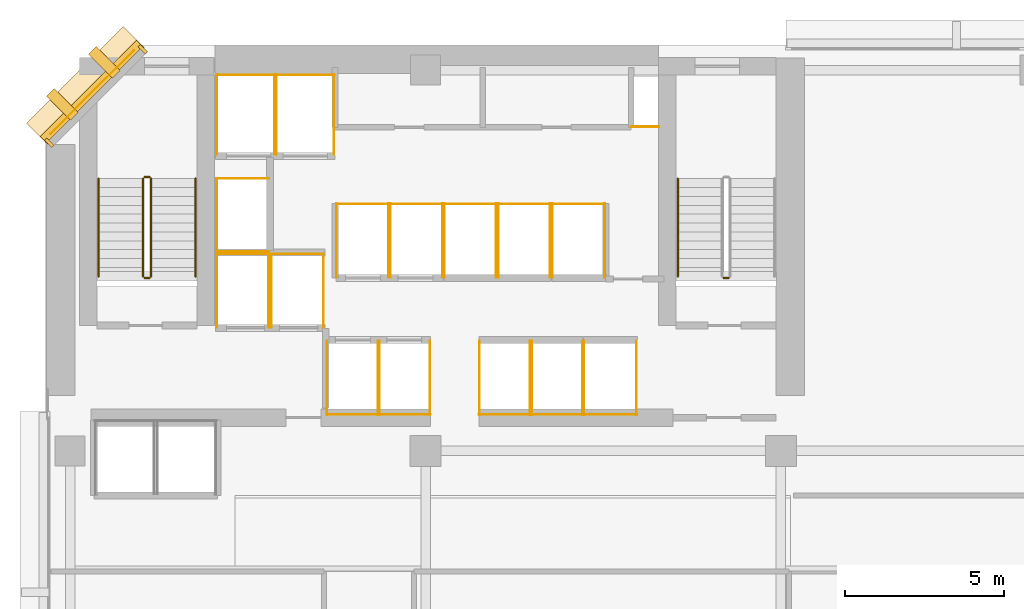
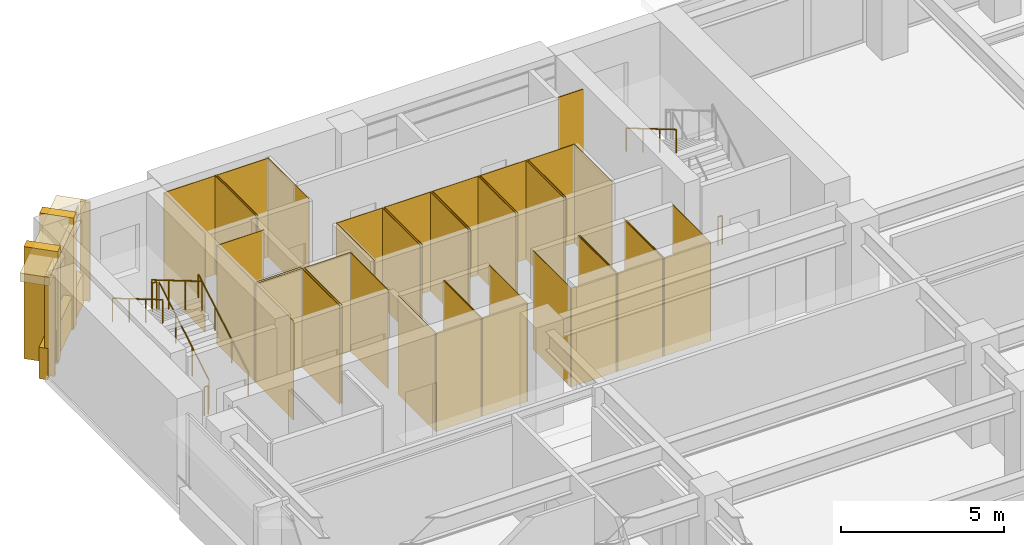
# One storey, part 11 of 13: 53 coverings, 8 railings.
"""IFC4 building model written with IfcOpenShell, lengths in metres."""

from ifc_helpers import new_model, si_unit, direction, frame, origin, origin_2d, place, context, subcontext, project, spatial, polyline, rectangle, circle, outline, extrude, material, layer, layer_set, type_object, element, save


model = new_model("IFC4")

# Units and contexts
model_context = context("Model", 3, precision=1e-05, world=origin(), true_north=direction((0.0, 1.0)))
body_context = subcontext(model_context, "Body", "Model", "MODEL_VIEW")
ifc_project = project(units=[si_unit("LENGTHUNIT", "METRE"), si_unit("AREAUNIT", "SQUARE_METRE"), si_unit("VOLUMEUNIT", "CUBIC_METRE"), si_unit("PLANEANGLEUNIT", "RADIAN"), si_unit("MASSUNIT", "GRAM", prefix="KILO")], contexts=[model_context])

# Site, building, storey
site_placement = place(None, origin())
site = spatial("IfcSite", under=ifc_project, at=site_placement, CompositionType="ELEMENT")
building_placement = place(site_placement, origin())
building = spatial("IfcBuilding", under=site, at=building_placement, Name="Kefirva Bronze Tower", CompositionType="ELEMENT")
storey_placement = place(building_placement, frame((0.0, 0.0, 106.590087890625)))
storey = spatial("IfcBuildingStorey", under=building, at=storey_placement, Name="L25", CompositionType="ELEMENT", Elevation=106.590087890625)

# Coverings
ifc_material_1 = material(Name="Bronze anodised aluminium", Category="aluminium")
ifc_layer_1 = layer(ifc_material_1, 0.02001953125, Name="Bronze anodised aluminium")
ifc_layer_set_1 = layer_set([ifc_layer_1], Name="Bronze anodised aluminium")
covering_type_1 = type_object("IfcCoveringType", Name="Anodised Bronze Spandrel Cladding 20mm", PredefinedType="CLADDING", material=ifc_layer_set_1)
covering_1_placement = place(storey_placement, frame((1.492919921875, 44.507080078125, 3.2900390625), z_axis=(0.0, 0.0, 1.0), x_axis=(-0.707106781187, -0.707106781187, 0.0)))
element("IfcCovering", 1, at=covering_1_placement, inside=storey, type_object=covering_type_1, Name="L25 Bronze Spandrel Cladding 6", PredefinedType="CLADDING", context=body_context, shape_type="SweptSolid", body=[
    extrude(rectangle(XDim=3.719482421875, YDim=0.02001953125, at=origin_2d()), origin(), (0.0, 0.0, 1.0), 0.39990234375),
])
for number, where, z_axis, x_axis, name in (
    (2, (3.08837890625, 45.862060546875, 0.0), (0.0, 0.0, 1.0), (-0.707106781187, -0.707106781187, 0.0), "L25 Facade Joint Closure Panel 6S"),
    (3, (0.137939453125, 42.91162109375, 0.0), (0.0, 0.0, 1.0), (-0.707106781187, -0.707106781187, 0.0), "L25 Facade Joint Closure Panel 6E"),
):
    element("IfcCovering", number, at=place(storey_placement, frame(where, z_axis=z_axis, x_axis=x_axis)), inside=storey, type_object=covering_type_1, Name=name, PredefinedType="CLADDING", context=body_context, shape_type="SweptSolid", body=[
        extrude(rectangle(XDim=0.10009765625, YDim=0.320068359375, at=origin_2d()), origin(), (0.0, 0.0, 1.0), 3.7099609375),
    ])
covering_2_placement = place(storey_placement, frame((1.4716796875, 44.5283203125, -0.16015625), z_axis=(0.0, 0.0, 1.0), x_axis=(-0.707106781187, -0.707106781187, 0.0)))
element("IfcCovering", 4, at=covering_2_placement, inside=storey, type_object=covering_type_1, Name="L25 Streamline Horizontal Spandrel Band 9", PredefinedType="CLADDING", context=body_context, shape_type="SweptSolid", body=[
    extrude(rectangle(XDim=4.28271484375, YDim=0.280029296875, at=origin_2d()), origin(), (0.0, 0.0, 1.0), 1.179931640625),
])
covering_3_placement = place(storey_placement, origin())
element("IfcCovering", 5, at=covering_3_placement, inside=storey, type_object=covering_type_1, Name="L25 Lift FF1 Hoistway Liner N", PredefinedType="CLADDING", context=body_context, shape_type="SweptSolid", body=[
    extrude(outline(polyline([(5.39990234375, 39.389892578125), (7.080078125, 39.389892578125), (7.080078125, 39.409912109375), (5.39990234375, 39.409912109375), (5.39990234375, 39.389892578125)])), origin(), (0.0, 0.0, 1.0), 3.7099609375),
])
covering_4_placement = place(storey_placement, origin())
element("IfcCovering", 6, at=covering_4_placement, inside=storey, type_object=covering_type_1, Name="L25 Lift FF1 Hoistway Liner W", PredefinedType="CLADDING", context=body_context, shape_type="SweptSolid", body=[
    extrude(outline(polyline([(5.409912109375, 37.080078125), (5.429931640625, 37.080078125), (5.429931640625, 39.419921875), (5.409912109375, 39.419921875), (5.409912109375, 37.080078125)])), origin(), (0.0, 0.0, 1.0), 3.7099609375),
])
covering_5_placement = place(storey_placement, origin())
element("IfcCovering", 7, at=covering_5_placement, inside=storey, type_object=covering_type_1, Name="L25 Lift FF1 Hoistway Liner E", PredefinedType="CLADDING", context=body_context, shape_type="SweptSolid", body=[
    extrude(outline(polyline([(7.050048828125, 37.080078125), (7.070068359375, 37.080078125), (7.070068359375, 39.419921875), (7.050048828125, 39.419921875), (7.050048828125, 37.080078125)])), origin(), (0.0, 0.0, 1.0), 3.7099609375),
])
covering_6_placement = place(storey_placement, origin())
element("IfcCovering", 8, at=covering_6_placement, inside=storey, type_object=covering_type_1, Name="L25 Lift FF2 Hoistway Liner N", PredefinedType="CLADDING", context=body_context, shape_type="SweptSolid", body=[
    extrude(outline(polyline([(7.1201171875, 39.389892578125), (8.800048828125, 39.389892578125), (8.800048828125, 39.409912109375), (7.1201171875, 39.409912109375), (7.1201171875, 39.389892578125)])), origin(), (0.0, 0.0, 1.0), 3.7099609375),
])
covering_7_placement = place(storey_placement, origin())
element("IfcCovering", 9, at=covering_7_placement, inside=storey, type_object=covering_type_1, Name="L25 Lift FF2 Hoistway Liner W", PredefinedType="CLADDING", context=body_context, shape_type="SweptSolid", body=[
    extrude(outline(polyline([(7.1298828125, 37.080078125), (7.14990234375, 37.080078125), (7.14990234375, 39.419921875), (7.1298828125, 39.419921875), (7.1298828125, 37.080078125)])), origin(), (0.0, 0.0, 1.0), 3.7099609375),
])
covering_8_placement = place(storey_placement, origin())
element("IfcCovering", 10, at=covering_8_placement, inside=storey, type_object=covering_type_1, Name="L25 Lift FF2 Hoistway Liner E", PredefinedType="CLADDING", context=body_context, shape_type="SweptSolid", body=[
    extrude(outline(polyline([(8.77001953125, 37.080078125), (8.7900390625, 37.080078125), (8.7900390625, 39.419921875), (8.77001953125, 39.419921875), (8.77001953125, 37.080078125)])), origin(), (0.0, 0.0, 1.0), 3.7099609375),
])
covering_9_placement = place(storey_placement, origin())
element("IfcCovering", 11, at=covering_9_placement, inside=storey, type_object=covering_type_1, Name="L25 Lift SV1 Hoistway Liner N", PredefinedType="CLADDING", context=body_context, shape_type="SweptSolid", body=[
    extrude(outline(polyline([(5.39990234375, 45.0400390625), (7.260009765625, 45.0400390625), (7.260009765625, 45.06005859375), (5.39990234375, 45.06005859375), (5.39990234375, 45.0400390625)])), origin(), (0.0, 0.0, 1.0), 3.7099609375),
])
covering_10_placement = place(storey_placement, origin())
element("IfcCovering", 12, at=covering_10_placement, inside=storey, type_object=covering_type_1, Name="L25 Lift SV1 Hoistway Liner W", PredefinedType="CLADDING", context=body_context, shape_type="SweptSolid", body=[
    extrude(outline(polyline([(5.409912109375, 42.530029296875), (5.429931640625, 42.530029296875), (5.429931640625, 45.070068359375), (5.409912109375, 45.070068359375), (5.409912109375, 42.530029296875)])), origin(), (0.0, 0.0, 1.0), 3.7099609375),
])
covering_11_placement = place(storey_placement, origin())
element("IfcCovering", 13, at=covering_11_placement, inside=storey, type_object=covering_type_1, Name="L25 Lift SV1 Hoistway Liner E", PredefinedType="CLADDING", context=body_context, shape_type="SweptSolid", body=[
    extrude(outline(polyline([(7.22998046875, 42.530029296875), (7.25, 42.530029296875), (7.25, 45.070068359375), (7.22998046875, 45.070068359375), (7.22998046875, 42.530029296875)])), origin(), (0.0, 0.0, 1.0), 3.7099609375),
])
covering_12_placement = place(storey_placement, origin())
element("IfcCovering", 14, at=covering_12_placement, inside=storey, type_object=covering_type_1, Name="L25 Lift SV2 Hoistway Liner N", PredefinedType="CLADDING", context=body_context, shape_type="SweptSolid", body=[
    extrude(outline(polyline([(7.280029296875, 45.0400390625), (9.139892578125, 45.0400390625), (9.139892578125, 45.06005859375), (7.280029296875, 45.06005859375), (7.280029296875, 45.0400390625)])), origin(), (0.0, 0.0, 1.0), 3.7099609375),
])
covering_13_placement = place(storey_placement, origin())
element("IfcCovering", 15, at=covering_13_placement, inside=storey, type_object=covering_type_1, Name="L25 Lift SV2 Hoistway Liner W", PredefinedType="CLADDING", context=body_context, shape_type="SweptSolid", body=[
    extrude(outline(polyline([(7.2900390625, 42.530029296875), (7.31005859375, 42.530029296875), (7.31005859375, 45.070068359375), (7.2900390625, 45.070068359375), (7.2900390625, 42.530029296875)])), origin(), (0.0, 0.0, 1.0), 3.7099609375),
])
covering_14_placement = place(storey_placement, origin())
element("IfcCovering", 16, at=covering_14_placement, inside=storey, type_object=covering_type_1, Name="L25 Lift SV2 Hoistway Liner E", PredefinedType="CLADDING", context=body_context, shape_type="SweptSolid", body=[
    extrude(outline(polyline([(9.110107421875, 42.530029296875), (9.1298828125, 42.530029296875), (9.1298828125, 45.070068359375), (9.110107421875, 45.070068359375), (9.110107421875, 42.530029296875)])), origin(), (0.0, 0.0, 1.0), 3.7099609375),
])
covering_15_placement = place(storey_placement, origin())
element("IfcCovering", 17, at=covering_15_placement, inside=storey, type_object=covering_type_1, Name="L25 Lift LP1 Hoistway Liner S", PredefinedType="CLADDING", context=body_context, shape_type="SweptSolid", body=[
    extrude(outline(polyline([(8.8798828125, 34.340087890625), (10.52001953125, 34.340087890625), (10.52001953125, 34.360107421875), (8.8798828125, 34.360107421875), (8.8798828125, 34.340087890625)])), origin(), (0.0, 0.0, 1.0), 3.7099609375),
])
covering_16_placement = place(storey_placement, origin())
element("IfcCovering", 18, at=covering_16_placement, inside=storey, type_object=covering_type_1, Name="L25 Lift LP1 Hoistway Liner W", PredefinedType="CLADDING", context=body_context, shape_type="SweptSolid", body=[
    extrude(outline(polyline([(8.889892578125, 34.330078125), (8.909912109375, 34.330078125), (8.909912109375, 36.669921875), (8.889892578125, 36.669921875), (8.889892578125, 34.330078125)])), origin(), (0.0, 0.0, 1.0), 3.7099609375),
])
covering_17_placement = place(storey_placement, origin())
element("IfcCovering", 19, at=covering_17_placement, inside=storey, type_object=covering_type_1, Name="L25 Lift LP1 Hoistway Liner E", PredefinedType="CLADDING", context=body_context, shape_type="SweptSolid", body=[
    extrude(outline(polyline([(10.489990234375, 34.330078125), (10.510009765625, 34.330078125), (10.510009765625, 36.669921875), (10.489990234375, 36.669921875), (10.489990234375, 34.330078125)])), origin(), (0.0, 0.0, 1.0), 3.7099609375),
])
covering_18_placement = place(storey_placement, origin())
element("IfcCovering", 20, at=covering_18_placement, inside=storey, type_object=covering_type_1, Name="L25 Lift LP2 Hoistway Liner S", PredefinedType="CLADDING", context=body_context, shape_type="SweptSolid", body=[
    extrude(outline(polyline([(10.52001953125, 34.340087890625), (12.159912109375, 34.340087890625), (12.159912109375, 34.360107421875), (10.52001953125, 34.360107421875), (10.52001953125, 34.340087890625)])), origin(), (0.0, 0.0, 1.0), 3.7099609375),
])
covering_19_placement = place(storey_placement, origin())
element("IfcCovering", 21, at=covering_19_placement, inside=storey, type_object=covering_type_1, Name="L25 Lift LP2 Hoistway Liner W", PredefinedType="CLADDING", context=body_context, shape_type="SweptSolid", body=[
    extrude(outline(polyline([(10.530029296875, 34.330078125), (10.550048828125, 34.330078125), (10.550048828125, 36.669921875), (10.530029296875, 36.669921875), (10.530029296875, 34.330078125)])), origin(), (0.0, 0.0, 1.0), 3.7099609375),
])
covering_20_placement = place(storey_placement, origin())
element("IfcCovering", 22, at=covering_20_placement, inside=storey, type_object=covering_type_1, Name="L25 Lift LP2 Hoistway Liner E", PredefinedType="CLADDING", context=body_context, shape_type="SweptSolid", body=[
    extrude(outline(polyline([(12.1298828125, 34.330078125), (12.14990234375, 34.330078125), (12.14990234375, 36.669921875), (12.1298828125, 36.669921875), (12.1298828125, 34.330078125)])), origin(), (0.0, 0.0, 1.0), 3.7099609375),
])
covering_21_placement = place(storey_placement, origin())
element("IfcCovering", 23, at=covering_21_placement, inside=storey, type_object=covering_type_1, Name="L25 Lift LP3 Hoistway Liner N", PredefinedType="CLADDING", context=body_context, shape_type="SweptSolid", body=[
    extrude(outline(polyline([(9.179931640625, 40.969970703125), (10.85009765625, 40.969970703125), (10.85009765625, 40.989990234375), (9.179931640625, 40.989990234375), (9.179931640625, 40.969970703125)])), origin(), (0.0, 0.0, 1.0), 3.7099609375),
])
covering_22_placement = place(storey_placement, origin())
element("IfcCovering", 24, at=covering_22_placement, inside=storey, type_object=covering_type_1, Name="L25 Lift LP3 Hoistway Liner W", PredefinedType="CLADDING", context=body_context, shape_type="SweptSolid", body=[
    extrude(outline(polyline([(9.18994140625, 38.659912109375), (9.2099609375, 38.659912109375), (9.2099609375, 41.0), (9.18994140625, 41.0), (9.18994140625, 38.659912109375)])), origin(), (0.0, 0.0, 1.0), 3.7099609375),
])
covering_23_placement = place(storey_placement, origin())
element("IfcCovering", 25, at=covering_23_placement, inside=storey, type_object=covering_type_1, Name="L25 Lift LP3 Hoistway Liner E", PredefinedType="CLADDING", context=body_context, shape_type="SweptSolid", body=[
    extrude(outline(polyline([(10.820068359375, 38.659912109375), (10.840087890625, 38.659912109375), (10.840087890625, 41.0), (10.820068359375, 41.0), (10.820068359375, 38.659912109375)])), origin(), (0.0, 0.0, 1.0), 3.7099609375),
])
covering_24_placement = place(storey_placement, origin())
element("IfcCovering", 26, at=covering_24_placement, inside=storey, type_object=covering_type_1, Name="L25 Lift LP4 Hoistway Liner N", PredefinedType="CLADDING", context=body_context, shape_type="SweptSolid", body=[
    extrude(outline(polyline([(10.8798828125, 40.969970703125), (12.550048828125, 40.969970703125), (12.550048828125, 40.989990234375), (10.8798828125, 40.989990234375), (10.8798828125, 40.969970703125)])), origin(), (0.0, 0.0, 1.0), 3.7099609375),
])
covering_25_placement = place(storey_placement, origin())
element("IfcCovering", 27, at=covering_25_placement, inside=storey, type_object=covering_type_1, Name="L25 Lift LP4 Hoistway Liner W", PredefinedType="CLADDING", context=body_context, shape_type="SweptSolid", body=[
    extrude(outline(polyline([(10.889892578125, 38.659912109375), (10.909912109375, 38.659912109375), (10.909912109375, 41.0), (10.889892578125, 41.0), (10.889892578125, 38.659912109375)])), origin(), (0.0, 0.0, 1.0), 3.7099609375),
])
covering_26_placement = place(storey_placement, origin())
element("IfcCovering", 28, at=covering_26_placement, inside=storey, type_object=covering_type_1, Name="L25 Lift LP4 Hoistway Liner E", PredefinedType="CLADDING", context=body_context, shape_type="SweptSolid", body=[
    extrude(outline(polyline([(12.52001953125, 38.659912109375), (12.5400390625, 38.659912109375), (12.5400390625, 41.0), (12.52001953125, 41.0), (12.52001953125, 38.659912109375)])), origin(), (0.0, 0.0, 1.0), 3.7099609375),
])
covering_27_placement = place(storey_placement, origin())
element("IfcCovering", 29, at=covering_27_placement, inside=storey, type_object=covering_type_1, Name="L25 Lift MP1 Hoistway Liner S", PredefinedType="CLADDING", context=body_context, shape_type="SweptSolid", body=[
    extrude(outline(polyline([(13.679931640625, 34.340087890625), (15.320068359375, 34.340087890625), (15.320068359375, 34.360107421875), (13.679931640625, 34.360107421875), (13.679931640625, 34.340087890625)])), origin(), (0.0, 0.0, 1.0), 3.7099609375),
])
covering_28_placement = place(storey_placement, origin())
element("IfcCovering", 30, at=covering_28_placement, inside=storey, type_object=covering_type_1, Name="L25 Lift MP1 Hoistway Liner W", PredefinedType="CLADDING", context=body_context, shape_type="SweptSolid", body=[
    extrude(outline(polyline([(13.68994140625, 34.330078125), (13.7099609375, 34.330078125), (13.7099609375, 36.669921875), (13.68994140625, 36.669921875), (13.68994140625, 34.330078125)])), origin(), (0.0, 0.0, 1.0), 3.7099609375),
])
covering_29_placement = place(storey_placement, origin())
element("IfcCovering", 31, at=covering_29_placement, inside=storey, type_object=covering_type_1, Name="L25 Lift MP1 Hoistway Liner E", PredefinedType="CLADDING", context=body_context, shape_type="SweptSolid", body=[
    extrude(outline(polyline([(15.2900390625, 34.330078125), (15.31005859375, 34.330078125), (15.31005859375, 36.669921875), (15.2900390625, 36.669921875), (15.2900390625, 34.330078125)])), origin(), (0.0, 0.0, 1.0), 3.7099609375),
])
covering_30_placement = place(storey_placement, origin())
element("IfcCovering", 32, at=covering_30_placement, inside=storey, type_object=covering_type_1, Name="L25 Lift MP2 Hoistway Liner S", PredefinedType="CLADDING", context=body_context, shape_type="SweptSolid", body=[
    extrude(outline(polyline([(15.330078125, 34.340087890625), (16.969970703125, 34.340087890625), (16.969970703125, 34.360107421875), (15.330078125, 34.360107421875), (15.330078125, 34.340087890625)])), origin(), (0.0, 0.0, 1.0), 3.7099609375),
])
covering_31_placement = place(storey_placement, origin())
element("IfcCovering", 33, at=covering_31_placement, inside=storey, type_object=covering_type_1, Name="L25 Lift MP2 Hoistway Liner W", PredefinedType="CLADDING", context=body_context, shape_type="SweptSolid", body=[
    extrude(outline(polyline([(15.340087890625, 34.330078125), (15.360107421875, 34.330078125), (15.360107421875, 36.669921875), (15.340087890625, 36.669921875), (15.340087890625, 34.330078125)])), origin(), (0.0, 0.0, 1.0), 3.7099609375),
])
covering_32_placement = place(storey_placement, origin())
element("IfcCovering", 34, at=covering_32_placement, inside=storey, type_object=covering_type_1, Name="L25 Lift MP2 Hoistway Liner E", PredefinedType="CLADDING", context=body_context, shape_type="SweptSolid", body=[
    extrude(outline(polyline([(16.93994140625, 34.330078125), (16.9599609375, 34.330078125), (16.9599609375, 36.669921875), (16.93994140625, 36.669921875), (16.93994140625, 34.330078125)])), origin(), (0.0, 0.0, 1.0), 3.7099609375),
])
covering_33_placement = place(storey_placement, origin())
element("IfcCovering", 35, at=covering_33_placement, inside=storey, type_object=covering_type_1, Name="L25 Lift MP3 Hoistway Liner N", PredefinedType="CLADDING", context=body_context, shape_type="SweptSolid", body=[
    extrude(outline(polyline([(12.580078125, 40.969970703125), (14.25, 40.969970703125), (14.25, 40.989990234375), (12.580078125, 40.989990234375), (12.580078125, 40.969970703125)])), origin(), (0.0, 0.0, 1.0), 3.7099609375),
])
covering_34_placement = place(storey_placement, origin())
element("IfcCovering", 36, at=covering_34_placement, inside=storey, type_object=covering_type_1, Name="L25 Lift MP3 Hoistway Liner W", PredefinedType="CLADDING", context=body_context, shape_type="SweptSolid", body=[
    extrude(outline(polyline([(12.590087890625, 38.659912109375), (12.610107421875, 38.659912109375), (12.610107421875, 41.0), (12.590087890625, 41.0), (12.590087890625, 38.659912109375)])), origin(), (0.0, 0.0, 1.0), 3.7099609375),
])
covering_35_placement = place(storey_placement, origin())
element("IfcCovering", 37, at=covering_35_placement, inside=storey, type_object=covering_type_1, Name="L25 Lift MP3 Hoistway Liner E", PredefinedType="CLADDING", context=body_context, shape_type="SweptSolid", body=[
    extrude(outline(polyline([(14.219970703125, 38.659912109375), (14.239990234375, 38.659912109375), (14.239990234375, 41.0), (14.219970703125, 41.0), (14.219970703125, 38.659912109375)])), origin(), (0.0, 0.0, 1.0), 3.7099609375),
])
covering_36_placement = place(storey_placement, origin())
element("IfcCovering", 38, at=covering_36_placement, inside=storey, type_object=covering_type_1, Name="L25 Lift MP4 Hoistway Liner N", PredefinedType="CLADDING", context=body_context, shape_type="SweptSolid", body=[
    extrude(outline(polyline([(14.280029296875, 40.969970703125), (15.949951171875, 40.969970703125), (15.949951171875, 40.989990234375), (14.280029296875, 40.989990234375), (14.280029296875, 40.969970703125)])), origin(), (0.0, 0.0, 1.0), 3.7099609375),
])
covering_37_placement = place(storey_placement, origin())
element("IfcCovering", 39, at=covering_37_placement, inside=storey, type_object=covering_type_1, Name="L25 Lift MP4 Hoistway Liner W", PredefinedType="CLADDING", context=body_context, shape_type="SweptSolid", body=[
    extrude(outline(polyline([(14.2900390625, 38.659912109375), (14.31005859375, 38.659912109375), (14.31005859375, 41.0), (14.2900390625, 41.0), (14.2900390625, 38.659912109375)])), origin(), (0.0, 0.0, 1.0), 3.7099609375),
])
covering_38_placement = place(storey_placement, origin())
element("IfcCovering", 40, at=covering_38_placement, inside=storey, type_object=covering_type_1, Name="L25 Lift MP4 Hoistway Liner E", PredefinedType="CLADDING", context=body_context, shape_type="SweptSolid", body=[
    extrude(outline(polyline([(15.919921875, 38.659912109375), (15.93994140625, 38.659912109375), (15.93994140625, 41.0), (15.919921875, 41.0), (15.919921875, 38.659912109375)])), origin(), (0.0, 0.0, 1.0), 3.7099609375),
])
covering_39_placement = place(storey_placement, origin())
element("IfcCovering", 41, at=covering_39_placement, inside=storey, type_object=covering_type_1, Name="L25 Lift HP1 Hoistway Liner S", PredefinedType="CLADDING", context=body_context, shape_type="SweptSolid", body=[
    extrude(outline(polyline([(16.97998046875, 34.340087890625), (18.669921875, 34.340087890625), (18.669921875, 34.360107421875), (16.97998046875, 34.360107421875), (16.97998046875, 34.340087890625)])), origin(), (0.0, 0.0, 1.0), 3.7099609375),
])
covering_40_placement = place(storey_placement, origin())
element("IfcCovering", 42, at=covering_40_placement, inside=storey, type_object=covering_type_1, Name="L25 Lift HP1 Hoistway Liner W", PredefinedType="CLADDING", context=body_context, shape_type="SweptSolid", body=[
    extrude(outline(polyline([(16.989990234375, 34.330078125), (17.010009765625, 34.330078125), (17.010009765625, 36.669921875), (16.989990234375, 36.669921875), (16.989990234375, 34.330078125)])), origin(), (0.0, 0.0, 1.0), 3.7099609375),
])
covering_41_placement = place(storey_placement, origin())
element("IfcCovering", 43, at=covering_41_placement, inside=storey, type_object=covering_type_1, Name="L25 Lift HP1 Hoistway Liner E", PredefinedType="CLADDING", context=body_context, shape_type="SweptSolid", body=[
    extrude(outline(polyline([(18.639892578125, 34.330078125), (18.659912109375, 34.330078125), (18.659912109375, 36.669921875), (18.639892578125, 36.669921875), (18.639892578125, 34.330078125)])), origin(), (0.0, 0.0, 1.0), 3.7099609375),
])
covering_42_placement = place(storey_placement, origin())
element("IfcCovering", 44, at=covering_42_placement, inside=storey, type_object=covering_type_1, Name="L25 Lift HP2 Hoistway Liner N", PredefinedType="CLADDING", context=body_context, shape_type="SweptSolid", body=[
    extrude(outline(polyline([(15.97998046875, 40.969970703125), (17.669921875, 40.969970703125), (17.669921875, 40.989990234375), (15.97998046875, 40.989990234375), (15.97998046875, 40.969970703125)])), origin(), (0.0, 0.0, 1.0), 3.7099609375),
])
covering_43_placement = place(storey_placement, origin())
element("IfcCovering", 45, at=covering_43_placement, inside=storey, type_object=covering_type_1, Name="L25 Lift HP2 Hoistway Liner W", PredefinedType="CLADDING", context=body_context, shape_type="SweptSolid", body=[
    extrude(outline(polyline([(15.989990234375, 38.659912109375), (16.010009765625, 38.659912109375), (16.010009765625, 41.0), (15.989990234375, 41.0), (15.989990234375, 38.659912109375)])), origin(), (0.0, 0.0, 1.0), 3.7099609375),
])
covering_44_placement = place(storey_placement, origin())
element("IfcCovering", 46, at=covering_44_placement, inside=storey, type_object=covering_type_1, Name="L25 Lift HP2 Hoistway Liner E", PredefinedType="CLADDING", context=body_context, shape_type="SweptSolid", body=[
    extrude(outline(polyline([(17.639892578125, 38.659912109375), (17.659912109375, 38.659912109375), (17.659912109375, 41.0), (17.639892578125, 41.0), (17.639892578125, 38.659912109375)])), origin(), (0.0, 0.0, 1.0), 3.7099609375),
])
covering_45_placement = place(storey_placement, origin())
element("IfcCovering", 47, at=covering_45_placement, inside=storey, type_object=covering_type_1, Name="L25 Lift HP3 Hoistway Liner N", PredefinedType="CLADDING", context=body_context, shape_type="SweptSolid", body=[
    extrude(outline(polyline([(5.39990234375, 41.77001953125), (7.080078125, 41.77001953125), (7.080078125, 41.7900390625), (5.39990234375, 41.7900390625), (5.39990234375, 41.77001953125)])), origin(), (0.0, 0.0, 1.0), 3.7099609375),
])
covering_46_placement = place(storey_placement, origin())
element("IfcCovering", 48, at=covering_46_placement, inside=storey, type_object=covering_type_1, Name="L25 Lift HP3 Hoistway Liner S", PredefinedType="CLADDING", context=body_context, shape_type="SweptSolid", body=[
    extrude(outline(polyline([(5.39990234375, 39.469970703125), (7.080078125, 39.469970703125), (7.080078125, 39.489990234375), (5.39990234375, 39.489990234375), (5.39990234375, 39.469970703125)])), origin(), (0.0, 0.0, 1.0), 3.7099609375),
])
covering_47_placement = place(storey_placement, origin())
element("IfcCovering", 49, at=covering_47_placement, inside=storey, type_object=covering_type_1, Name="L25 Lift HP3 Hoistway Liner W", PredefinedType="CLADDING", context=body_context, shape_type="SweptSolid", body=[
    extrude(outline(polyline([(5.409912109375, 39.4599609375), (5.429931640625, 39.4599609375), (5.429931640625, 41.800048828125), (5.409912109375, 41.800048828125), (5.409912109375, 39.4599609375)])), origin(), (0.0, 0.0, 1.0), 3.7099609375),
])
covering_48_placement = place(storey_placement, origin())
element("IfcCovering", 50, at=covering_48_placement, inside=storey, type_object=covering_type_1, Name="L25 Core MEP Riser Shaft Liner South", PredefinedType="CLADDING", context=body_context, shape_type="SweptSolid", body=[
    extrude(outline(polyline([(18.47998046875, 43.39990234375), (19.360107421875, 43.39990234375), (19.360107421875, 43.429931640625), (18.47998046875, 43.429931640625), (18.47998046875, 43.39990234375)])), origin(), (0.0, 0.0, 1.0), 3.7099609375),
])

# Railings
ifc_material_2 = material(Name="Stainless steel 316", Category="steel")
railing_type_1 = type_object("IfcRailingType", Name="Interior Stair Guardrail 1100mm", PredefinedType="GUARDRAIL", material=ifc_material_2)
railing_1_placement = place(storey_placement, frame((3.35009765625, 38.699951171875, 0.164794921875)))
element("IfcRailing", 51, at=railing_1_placement, inside=storey, type_object=railing_type_1, Name="L25 ST-1 stair guard 1", PredefinedType="GUARDRAIL", context=body_context, shape_type="SweptSolid", body=[
    extrude(circle(Radius=0.02392578125, at=origin_2d()), frame((0.0, 0.0, 1.076171875), z_axis=(0.0, 0.861521393093, 0.507721271215), x_axis=(-1.0, 0.0, 0.0)), (0.0, 0.0, 1.0), 3.5751953125),
    extrude(circle(Radius=0.02099609375, at=origin_2d()), origin(), (0.0, 0.0, 1.0), 1.052001953125),
    extrude(circle(Radius=0.02099609375, at=origin_2d()), frame((0.0, 1.026611328125, 0.60498046875)), (0.0, 0.0, 1.0), 1.052001953125),
    extrude(circle(Radius=0.02099609375, at=origin_2d()), frame((0.0, 2.053466796875, 1.210205078125)), (0.0, 0.0, 1.0), 1.052001953125),
    extrude(circle(Radius=0.02099609375, at=origin_2d()), frame((0.0, 3.080078125, 1.815185546875)), (0.0, 0.0, 1.0), 1.052001953125),
])
railing_2_placement = place(storey_placement, frame((3.300048828125, 41.830078125, 1.97998046875)))
element("IfcRailing", 52, at=railing_2_placement, inside=storey, type_object=railing_type_1, Name="L25 ST-1 stair guard 2", PredefinedType="GUARDRAIL", context=body_context, shape_type="SweptSolid", body=[
    extrude(circle(Radius=0.02392578125, at=origin_2d()), frame((0.0, 0.0, 1.076171875), z_axis=(-1.0, 0.0, 0.0), x_axis=(0.0, -1.0, 0.0)), (0.0, 0.0, 1.0), 0.150146484375),
    extrude(circle(Radius=0.02099609375, at=origin_2d()), origin(), (0.0, 0.0, 1.0), 1.052001953125),
    extrude(circle(Radius=0.02099609375, at=origin_2d()), frame((-0.150146484375, 0.0, 0.0)), (0.0, 0.0, 1.0), 1.052001953125),
])
railing_3_placement = place(storey_placement, frame((3.10009765625, 41.780029296875, 2.14501953125)))
element("IfcRailing", 53, at=railing_3_placement, inside=storey, type_object=railing_type_1, Name="L25 ST-1 stair guard 3", PredefinedType="GUARDRAIL", context=body_context, shape_type="SweptSolid", body=[
    extrude(circle(Radius=0.02392578125, at=origin_2d()), frame((0.0, 0.0, 1.076171875), z_axis=(0.0, -0.861551262678, 0.507670583921), x_axis=(1.0, 0.0, 0.0)), (0.0, 0.0, 1.0), 3.574951171875),
    extrude(circle(Radius=0.02099609375, at=origin_2d()), origin(), (0.0, 0.0, 1.0), 1.052001953125),
    extrude(circle(Radius=0.02099609375, at=origin_2d()), frame((0.0, -1.026611328125, 0.60498046875)), (0.0, 0.0, 1.0), 1.052001953125),
    extrude(circle(Radius=0.02099609375, at=origin_2d()), frame((0.0, -2.053466796875, 1.2099609375)), (0.0, 0.0, 1.0), 1.052001953125),
    extrude(circle(Radius=0.02099609375, at=origin_2d()), frame((0.0, -3.080078125, 1.81494140625)), (0.0, 0.0, 1.0), 1.052001953125),
])
for number, where, name in (
    (54, (3.300048828125, 38.64990234375, 0.0), "L25 ST-1 stair guard 4"),
    (55, (21.550048828125, 38.64990234375, 0.0), "L25 ST-2 stair guard 4"),
):
    element("IfcRailing", number, at=place(storey_placement, frame(where)), inside=storey, type_object=railing_type_1, Name=name, PredefinedType="GUARDRAIL", context=body_context, shape_type="SweptSolid", body=[
        extrude(circle(Radius=0.02392578125, at=origin_2d()), frame((0.0, 0.0, 1.076171875), z_axis=(-1.0, 0.0, 0.0), x_axis=(0.0, -1.0, 0.0)), (0.0, 0.0, 1.0), 0.150146484375),
        extrude(circle(Radius=0.02099609375, at=origin_2d()), origin(), (0.0, 0.0, 1.0), 1.052001953125),
        extrude(circle(Radius=0.02099609375, at=origin_2d()), frame((-0.150146484375, 0.0, 0.0)), (0.0, 0.0, 1.0), 1.052001953125),
    ])
railing_type_2 = type_object("IfcRailingType", Name="Stair Pitch Handrail 900mm", PredefinedType="HANDRAIL", material=ifc_material_2)
railing_4_placement = place(storey_placement, frame((4.75, 38.699951171875, 0.164794921875)))
element("IfcRailing", 56, at=railing_4_placement, inside=storey, type_object=railing_type_2, Name="L25 ST-1 stair handrail 1", PredefinedType="HANDRAIL", context=body_context, shape_type="SweptSolid", body=[
    extrude(circle(Radius=0.02392578125, at=origin_2d()), frame((0.0, 0.0, 0.8759765625), z_axis=(0.0, 0.861521393093, 0.507721271215), x_axis=(-1.0, 0.0, 0.0)), (0.0, 0.0, 1.0), 3.5751953125),
    extrude(circle(Radius=0.02099609375, at=origin_2d()), origin(), (0.0, 0.0, 1.0), 0.851806640625),
    extrude(circle(Radius=0.02099609375, at=origin_2d()), frame((0.0, 1.026611328125, 0.60498046875)), (0.0, 0.0, 1.0), 0.851806640625),
    extrude(circle(Radius=0.02099609375, at=origin_2d()), frame((0.0, 2.053466796875, 1.210205078125)), (0.0, 0.0, 1.0), 0.851806640625),
    extrude(circle(Radius=0.02099609375, at=origin_2d()), frame((0.0, 3.080078125, 1.815185546875)), (0.0, 0.0, 1.0), 0.851806640625),
])
for number, where, name in (
    (57, (1.699951171875, 41.780029296875, 2.14501953125), "L25 ST-1 stair handrail 2"),
    (58, (19.949951171875, 41.780029296875, 2.14501953125), "L25 ST-2 stair handrail 2"),
):
    element("IfcRailing", number, at=place(storey_placement, frame(where)), inside=storey, type_object=railing_type_2, Name=name, PredefinedType="HANDRAIL", context=body_context, shape_type="SweptSolid", body=[
        extrude(circle(Radius=0.02392578125, at=origin_2d()), frame((0.0, 0.0, 0.8759765625), z_axis=(0.0, -0.861551262678, 0.507670583921), x_axis=(1.0, 0.0, 0.0)), (0.0, 0.0, 1.0), 3.574951171875),
        extrude(circle(Radius=0.02099609375, at=origin_2d()), origin(), (0.0, 0.0, 1.0), 0.851806640625),
        extrude(circle(Radius=0.02099609375, at=origin_2d()), frame((0.0, -1.026611328125, 0.60498046875)), (0.0, 0.0, 1.0), 0.851806640625),
        extrude(circle(Radius=0.02099609375, at=origin_2d()), frame((0.0, -2.053466796875, 1.2099609375)), (0.0, 0.0, 1.0), 0.851806640625),
        extrude(circle(Radius=0.02099609375, at=origin_2d()), frame((0.0, -3.080078125, 1.81494140625)), (0.0, 0.0, 1.0), 0.851806640625),
    ])

# Coverings
ifc_layer_2 = layer(ifc_material_1, 0.179931640625, Name="Bronze anodised aluminium")
ifc_layer_set_2 = layer_set([ifc_layer_2], Name="Bronze anodised aluminium")
covering_type_2 = type_object("IfcCoveringType", Name="Streamline Bronze Sunshade Eyebrow Cladding 180mm", PredefinedType="CLADDING", material=ifc_layer_set_2)
covering_49_placement = place(storey_placement, frame((1.28076171875, 44.71923828125, 3.3896484375), z_axis=(0.0, 0.0, 1.0), x_axis=(-0.707106781187, -0.707106781187, 0.0)))
element("IfcCovering", 59, at=covering_49_placement, inside=storey, type_object=covering_type_2, Name="L25 Streamline Bronze Sunshade Eyebrow 9", PredefinedType="CLADDING", context=body_context, shape_type="SweptSolid", body=[
    extrude(rectangle(XDim=4.322509765625, YDim=0.93994140625, at=origin_2d()), origin(), (0.0, 0.0, 1.0), 0.320068359375),
])
ifc_layer_3 = layer(ifc_material_1, 0.260009765625, Name="Bronze anodised aluminium")
ifc_layer_set_3 = layer_set([ifc_layer_3], Name="Bronze anodised aluminium")
covering_type_3 = type_object("IfcCoveringType", Name="Unbroken Bronze Buttress Fin Cladding 260mm", PredefinedType="CLADDING", material=ifc_layer_set_3)
for number, where, z_axis, x_axis, name in (
    (60, (1.877197265625, 45.44287109375, -0.25), (0.0, 0.0, 1.0), (-0.707106781187, -0.707106781187, 0.0), "L25 Chamfered Corner Buttress Fin Cladding 23"),
    (61, (0.55712890625, 44.122802734375, -0.25), (0.0, 0.0, 1.0), (-0.707106781187, -0.707106781187, 0.0), "L25 Chamfered Corner Buttress Fin Cladding 24"),
):
    element("IfcCovering", number, at=place(storey_placement, frame(where, z_axis=z_axis, x_axis=x_axis)), inside=storey, type_object=covering_type_3, Name=name, PredefinedType="CLADDING", context=body_context, shape_type="SweptSolid", body=[
        extrude(rectangle(XDim=0.340087890625, YDim=1.080078125, at=origin_2d()), origin(), (0.0, 0.0, 1.0), 4.2099609375),
    ])

save(model, "model.ifc")
